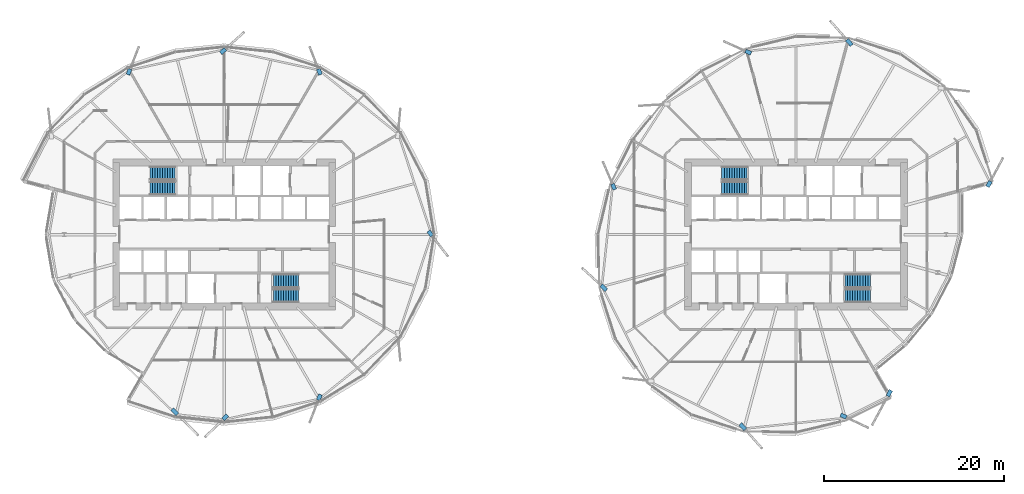
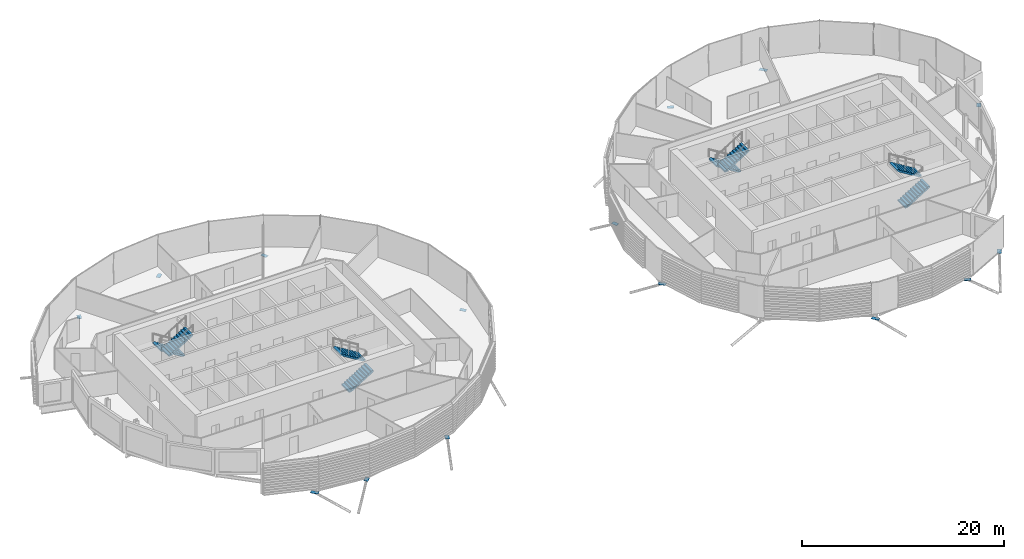
# One storey, part 27 of 39: 15 discrete accessories, 8 stair flights, 4 elements without a shape of their own.
"""IFC4 building model written with IfcOpenShell, lengths in metres."""

from ifc_helpers import new_model, si_unit, direction, frame, origin, origin_2d, place, context, subcontext, project, spatial, polyline, rectangle, outline, extrude, material, material_profile, profile_set, type_object, element, aggregate, save


model = new_model("IFC4")

# Units and contexts
model_context = context("Model", 3, precision=1e-05, world=origin(), true_north=direction((0.0, 1.0)))
body_context = subcontext(model_context, "Body", "Model", "MODEL_VIEW")
ifc_project = project(units=[si_unit("LENGTHUNIT", "METRE"), si_unit("AREAUNIT", "SQUARE_METRE"), si_unit("VOLUMEUNIT", "CUBIC_METRE"), si_unit("PLANEANGLEUNIT", "RADIAN"), si_unit("MASSUNIT", "GRAM", prefix="KILO")], contexts=[model_context])

# Site, building, storey
site_placement = place(None, origin())
site = spatial("IfcSite", under=ifc_project, at=site_placement, CompositionType="ELEMENT")
building_placement = place(site_placement, origin())
building = spatial("IfcBuilding", under=site, at=building_placement, Name="Rimbun Link Towers", CompositionType="ELEMENT")
storey_placement = place(building_placement, frame((0.0, 0.0, 112.0)))
storey = spatial("IfcBuildingStorey", under=building, at=storey_placement, Name="L27", CompositionType="ELEMENT", Elevation=112.0)

# Stair, stair flights
ifc_material_1 = material(Name="Concrete C40/50", Category="concrete")
stair_type = type_object("IfcStairType", Name="Exit stair 3800 rise", PredefinedType="HALF_TURN_STAIR", material=ifc_material_1)
stair_1_placement = place(storey_placement, origin())
stair_1 = element("IfcStair", 1, at=stair_1_placement, inside=storey, type_object=stair_type, Name="L27 EXIT STAIR A", PredefinedType="HALF_TURN_STAIR")
ifc_material_2 = material(Name="Concrete C40/50", Category="concrete")
stair_flight_type = type_object("IfcStairFlightType", Name="Exit stair flight 3800 rise", PredefinedType="STRAIGHT", material=ifc_material_2)
stair_flight_1_placement = place(storey_placement, frame((-37.199951171875, 6.800048828125, 0.0), z_axis=(0.0, 0.0, 1.0), x_axis=(-1.0, 0.0, 0.0)))
stair_flight_1 = element("IfcStairFlight", 2, at=stair_flight_1_placement, type_object=stair_flight_type, Name="ST1 flight 1", NumberOfRisers=11, NumberOfTreads=10, PredefinedType="STRAIGHT", RiserHeight=0.172727273, TreadLength=0.28, context=body_context, shape_type="SweptSolid", body=[
    extrude(outline(polyline([(0.0, 0.0), (0.0, 0.172607421875), (0.280029296875, 0.172607421875), (0.280029296875, 0.345458984375), (0.56005859375, 0.345458984375), (0.56005859375, 0.51806640625), (0.840087890625, 0.51806640625), (0.840087890625, 0.69091796875), (1.1201171875, 0.69091796875), (1.1201171875, 0.863525390625), (1.39990234375, 0.863525390625), (1.39990234375, 1.036376953125), (1.679931640625, 1.036376953125), (1.679931640625, 1.208984375), (1.9599609375, 1.208984375), (1.9599609375, 1.3818359375), (2.239990234375, 1.3818359375), (2.239990234375, 1.554443359375), (2.52001953125, 1.554443359375), (2.52001953125, 1.727294921875), (2.800048828125, 1.727294921875), (2.800048828125, 1.89990234375), (2.800048828125, 1.551025390625), (0.280029296875, 0.0), (0.0, 0.0)])), frame((0.0, 0.75, 0.0), z_axis=(0.0, -1.0, 0.0), x_axis=(1.0, 0.0, 0.0)), (0.0, 0.0, 1.0), 1.5),
])
stair_flight_2_placement = place(storey_placement, frame((-40.0, 5.14990234375, 1.89990234375), z_axis=(0.0, 0.0, 1.0), x_axis=(1.0, 0.0, 0.0)))
stair_flight_2 = element("IfcStairFlight", 3, at=stair_flight_2_placement, type_object=stair_flight_type, Name="ST1 flight 2", NumberOfRisers=11, NumberOfTreads=10, PredefinedType="STRAIGHT", RiserHeight=0.172727273, TreadLength=0.28, context=body_context, shape_type="SweptSolid", body=[
    extrude(outline(polyline([(0.0, 0.0), (0.0, 0.172607421875), (0.280029296875, 0.172607421875), (0.280029296875, 0.345458984375), (0.56005859375, 0.345458984375), (0.56005859375, 0.51806640625), (0.840087890625, 0.51806640625), (0.840087890625, 0.69091796875), (1.1201171875, 0.69091796875), (1.1201171875, 0.863525390625), (1.39990234375, 0.863525390625), (1.39990234375, 1.036376953125), (1.679931640625, 1.036376953125), (1.679931640625, 1.208984375), (1.9599609375, 1.208984375), (1.9599609375, 1.3818359375), (2.239990234375, 1.3818359375), (2.239990234375, 1.554443359375), (2.52001953125, 1.554443359375), (2.52001953125, 1.727294921875), (2.800048828125, 1.727294921875), (2.800048828125, 1.89990234375), (2.800048828125, 1.551025390625), (0.280029296875, 0.0), (0.0, 0.0)])), frame((0.0, 0.75, 0.0), z_axis=(0.0, -1.0, 0.0), x_axis=(1.0, 0.0, 0.0)), (0.0, 0.0, 1.0), 1.5),
])
aggregate(stair_1, [stair_flight_1, stair_flight_2])

stair_2_placement = place(storey_placement, origin())
stair_2 = element("IfcStair", 4, at=stair_2_placement, inside=storey, type_object=stair_type, Name="L27 EXIT STAIR B", PredefinedType="HALF_TURN_STAIR")
stair_flight_3_placement = place(storey_placement, frame((-26.300048828125, -6.800048828125, 0.0), z_axis=(0.0, 0.0, 1.0), x_axis=(1.0, 0.0, 0.0)))
stair_flight_3 = element("IfcStairFlight", 5, at=stair_flight_3_placement, type_object=stair_flight_type, Name="ST2 flight 1", NumberOfRisers=11, NumberOfTreads=10, PredefinedType="STRAIGHT", RiserHeight=0.172727273, TreadLength=0.28, context=body_context, shape_type="SweptSolid", body=[
    extrude(outline(polyline([(0.0, 0.0), (0.0, 0.172607421875), (0.280029296875, 0.172607421875), (0.280029296875, 0.345458984375), (0.56005859375, 0.345458984375), (0.56005859375, 0.51806640625), (0.840087890625, 0.51806640625), (0.840087890625, 0.69091796875), (1.1201171875, 0.69091796875), (1.1201171875, 0.863525390625), (1.39990234375, 0.863525390625), (1.39990234375, 1.036376953125), (1.679931640625, 1.036376953125), (1.679931640625, 1.208984375), (1.9599609375, 1.208984375), (1.9599609375, 1.3818359375), (2.239990234375, 1.3818359375), (2.239990234375, 1.554443359375), (2.52001953125, 1.554443359375), (2.52001953125, 1.727294921875), (2.800048828125, 1.727294921875), (2.800048828125, 1.89990234375), (2.800048828125, 1.551025390625), (0.280029296875, 0.0), (0.0, 0.0)])), frame((0.0, 0.75, 0.0), z_axis=(0.0, -1.0, 0.0), x_axis=(1.0, 0.0, 0.0)), (0.0, 0.0, 1.0), 1.5),
])
stair_flight_4_placement = place(storey_placement, frame((-23.5, -5.14990234375, 1.89990234375), z_axis=(0.0, 0.0, 1.0), x_axis=(-1.0, 0.0, 0.0)))
stair_flight_4 = element("IfcStairFlight", 6, at=stair_flight_4_placement, type_object=stair_flight_type, Name="ST2 flight 2", NumberOfRisers=11, NumberOfTreads=10, PredefinedType="STRAIGHT", RiserHeight=0.172727273, TreadLength=0.28, context=body_context, shape_type="SweptSolid", body=[
    extrude(outline(polyline([(0.0, 0.0), (0.0, 0.172607421875), (0.280029296875, 0.172607421875), (0.280029296875, 0.345458984375), (0.56005859375, 0.345458984375), (0.56005859375, 0.51806640625), (0.840087890625, 0.51806640625), (0.840087890625, 0.69091796875), (1.1201171875, 0.69091796875), (1.1201171875, 0.863525390625), (1.39990234375, 0.863525390625), (1.39990234375, 1.036376953125), (1.679931640625, 1.036376953125), (1.679931640625, 1.208984375), (1.9599609375, 1.208984375), (1.9599609375, 1.3818359375), (2.239990234375, 1.3818359375), (2.239990234375, 1.554443359375), (2.52001953125, 1.554443359375), (2.52001953125, 1.727294921875), (2.800048828125, 1.727294921875), (2.800048828125, 1.89990234375), (2.800048828125, 1.551025390625), (0.280029296875, 0.0), (0.0, 0.0)])), frame((0.0, 0.75, 0.0), z_axis=(0.0, -1.0, 0.0), x_axis=(1.0, 0.0, 0.0)), (0.0, 0.0, 1.0), 1.5),
])
aggregate(stair_2, [stair_flight_3, stair_flight_4])

stair_3_placement = place(storey_placement, origin())
stair_3 = element("IfcStair", 7, at=stair_3_placement, inside=storey, type_object=stair_type, Name="L27 EXIT STAIR A", PredefinedType="HALF_TURN_STAIR")
stair_flight_5_placement = place(storey_placement, frame((26.300048828125, 6.800048828125, 0.0), z_axis=(0.0, 0.0, 1.0), x_axis=(-1.0, 0.0, 0.0)))
stair_flight_5 = element("IfcStairFlight", 8, at=stair_flight_5_placement, type_object=stair_flight_type, Name="ST3 flight 1", NumberOfRisers=11, NumberOfTreads=10, PredefinedType="STRAIGHT", RiserHeight=0.172727273, TreadLength=0.28, context=body_context, shape_type="SweptSolid", body=[
    extrude(outline(polyline([(0.0, 0.0), (0.0, 0.172607421875), (0.280029296875, 0.172607421875), (0.280029296875, 0.345458984375), (0.56005859375, 0.345458984375), (0.56005859375, 0.51806640625), (0.840087890625, 0.51806640625), (0.840087890625, 0.69091796875), (1.1201171875, 0.69091796875), (1.1201171875, 0.863525390625), (1.39990234375, 0.863525390625), (1.39990234375, 1.036376953125), (1.679931640625, 1.036376953125), (1.679931640625, 1.208984375), (1.9599609375, 1.208984375), (1.9599609375, 1.3818359375), (2.239990234375, 1.3818359375), (2.239990234375, 1.554443359375), (2.52001953125, 1.554443359375), (2.52001953125, 1.727294921875), (2.800048828125, 1.727294921875), (2.800048828125, 1.89990234375), (2.800048828125, 1.551025390625), (0.280029296875, 0.0), (0.0, 0.0)])), frame((0.0, 0.75, 0.0), z_axis=(0.0, -1.0, 0.0), x_axis=(1.0, 0.0, 0.0)), (0.0, 0.0, 1.0), 1.5),
])
stair_flight_6_placement = place(storey_placement, frame((23.5, 5.14990234375, 1.89990234375), z_axis=(0.0, 0.0, 1.0), x_axis=(1.0, 0.0, 0.0)))
stair_flight_6 = element("IfcStairFlight", 9, at=stair_flight_6_placement, type_object=stair_flight_type, Name="ST3 flight 2", NumberOfRisers=11, NumberOfTreads=10, PredefinedType="STRAIGHT", RiserHeight=0.172727273, TreadLength=0.28, context=body_context, shape_type="SweptSolid", body=[
    extrude(outline(polyline([(0.0, 0.0), (0.0, 0.172607421875), (0.280029296875, 0.172607421875), (0.280029296875, 0.345458984375), (0.56005859375, 0.345458984375), (0.56005859375, 0.51806640625), (0.840087890625, 0.51806640625), (0.840087890625, 0.69091796875), (1.1201171875, 0.69091796875), (1.1201171875, 0.863525390625), (1.39990234375, 0.863525390625), (1.39990234375, 1.036376953125), (1.679931640625, 1.036376953125), (1.679931640625, 1.208984375), (1.9599609375, 1.208984375), (1.9599609375, 1.3818359375), (2.239990234375, 1.3818359375), (2.239990234375, 1.554443359375), (2.52001953125, 1.554443359375), (2.52001953125, 1.727294921875), (2.800048828125, 1.727294921875), (2.800048828125, 1.89990234375), (2.800048828125, 1.551025390625), (0.280029296875, 0.0), (0.0, 0.0)])), frame((0.0, 0.75, 0.0), z_axis=(0.0, -1.0, 0.0), x_axis=(1.0, 0.0, 0.0)), (0.0, 0.0, 1.0), 1.5),
])
aggregate(stair_3, [stair_flight_5, stair_flight_6])

stair_4_placement = place(storey_placement, origin())
stair_4 = element("IfcStair", 10, at=stair_4_placement, inside=storey, type_object=stair_type, Name="L27 EXIT STAIR B", PredefinedType="HALF_TURN_STAIR")
stair_flight_7_placement = place(storey_placement, frame((37.199951171875, -6.800048828125, 0.0), z_axis=(0.0, 0.0, 1.0), x_axis=(1.0, 0.0, 0.0)))
stair_flight_7 = element("IfcStairFlight", 11, at=stair_flight_7_placement, type_object=stair_flight_type, Name="ST4 flight 1", NumberOfRisers=11, NumberOfTreads=10, PredefinedType="STRAIGHT", RiserHeight=0.172727273, TreadLength=0.28, context=body_context, shape_type="SweptSolid", body=[
    extrude(outline(polyline([(0.0, 0.0), (0.0, 0.172607421875), (0.280029296875, 0.172607421875), (0.280029296875, 0.345458984375), (0.56005859375, 0.345458984375), (0.56005859375, 0.51806640625), (0.840087890625, 0.51806640625), (0.840087890625, 0.69091796875), (1.1201171875, 0.69091796875), (1.1201171875, 0.863525390625), (1.39990234375, 0.863525390625), (1.39990234375, 1.036376953125), (1.679931640625, 1.036376953125), (1.679931640625, 1.208984375), (1.9599609375, 1.208984375), (1.9599609375, 1.3818359375), (2.239990234375, 1.3818359375), (2.239990234375, 1.554443359375), (2.52001953125, 1.554443359375), (2.52001953125, 1.727294921875), (2.800048828125, 1.727294921875), (2.800048828125, 1.89990234375), (2.800048828125, 1.551025390625), (0.280029296875, 0.0), (0.0, 0.0)])), frame((0.0, 0.75, 0.0), z_axis=(0.0, -1.0, 0.0), x_axis=(1.0, 0.0, 0.0)), (0.0, 0.0, 1.0), 1.5),
])
stair_flight_8_placement = place(storey_placement, frame((40.0, -5.14990234375, 1.89990234375), z_axis=(0.0, 0.0, 1.0), x_axis=(-1.0, 0.0, 0.0)))
stair_flight_8 = element("IfcStairFlight", 12, at=stair_flight_8_placement, type_object=stair_flight_type, Name="ST4 flight 2", NumberOfRisers=11, NumberOfTreads=10, PredefinedType="STRAIGHT", RiserHeight=0.172727273, TreadLength=0.28, context=body_context, shape_type="SweptSolid", body=[
    extrude(outline(polyline([(0.0, 0.0), (0.0, 0.172607421875), (0.280029296875, 0.172607421875), (0.280029296875, 0.345458984375), (0.56005859375, 0.345458984375), (0.56005859375, 0.51806640625), (0.840087890625, 0.51806640625), (0.840087890625, 0.69091796875), (1.1201171875, 0.69091796875), (1.1201171875, 0.863525390625), (1.39990234375, 0.863525390625), (1.39990234375, 1.036376953125), (1.679931640625, 1.036376953125), (1.679931640625, 1.208984375), (1.9599609375, 1.208984375), (1.9599609375, 1.3818359375), (2.239990234375, 1.3818359375), (2.239990234375, 1.554443359375), (2.52001953125, 1.554443359375), (2.52001953125, 1.727294921875), (2.800048828125, 1.727294921875), (2.800048828125, 1.89990234375), (2.800048828125, 1.551025390625), (0.280029296875, 0.0), (0.0, 0.0)])), frame((0.0, 0.75, 0.0), z_axis=(0.0, -1.0, 0.0), x_axis=(1.0, 0.0, 0.0)), (0.0, 0.0, 1.0), 1.5),
])
aggregate(stair_4, [stair_flight_7, stair_flight_8])

# Discrete accessories
ifc_material_3 = material(Name="Steel S355J2H", Category="steel")
ifc_material_profile = material_profile(ifc_material_3, rectangle(XDim=0.43310546875, YDim=0.43310546875, at=origin_2d()), Name="PL 433x433")
ifc_profile_set = profile_set([ifc_material_profile], Name="Steel S355J2H")
discrete_accessory_type = type_object("IfcDiscreteAccessoryType", Name="Link head end plate 433X20", PredefinedType="BRACKET", material=ifc_profile_set)
discrete_accessory_1_placement = place(storey_placement, frame((0.0, 0.0, -0.78271484375)))
element("IfcDiscreteAccessory", 13, at=discrete_accessory_1_placement, inside=storey, type_object=discrete_accessory_type, Name="Link head end plate T1 L27 00", PredefinedType="BRACKET", context=body_context, shape_type="SweptSolid", body=[
    extrude(outline(polyline([(-9.24267578125, 0.257568359375), (-8.829833984375, -0.27783203125), (-8.487060546875, -0.013427734375), (-8.899658203125, 0.52197265625), (-9.24267578125, 0.257568359375)])), origin(), (0.0, 0.0, 1.0), 0.02001953125),
])
discrete_accessory_2_placement = place(storey_placement, frame((0.0, 0.0, -0.78271484375)))
element("IfcDiscreteAccessory", 14, at=discrete_accessory_2_placement, inside=storey, type_object=discrete_accessory_type, Name="Link head end plate T1 L27 04", PredefinedType="BRACKET", context=body_context, shape_type="SweptSolid", body=[
    extrude(outline(polyline([(-20.854736328125, 17.834716796875), (-21.099853515625, 18.46337890625), (-21.50341796875, 18.30615234375), (-21.25830078125, 17.677490234375), (-20.854736328125, 17.834716796875)])), origin(), (0.0, 0.0, 1.0), 0.02001953125),
])
discrete_accessory_3_placement = place(storey_placement, frame((0.0, 0.0, -0.863525390625)))
element("IfcDiscreteAccessory", 15, at=discrete_accessory_3_placement, inside=storey, type_object=discrete_accessory_type, Name="Link head end plate T1 L27 06", PredefinedType="BRACKET", context=body_context, shape_type="SweptSolid", body=[
    extrude(outline(polyline([(-31.98828125, 19.980712890625), (-31.46923828125, 20.4482421875), (-31.759033203125, 20.77001953125), (-32.278076171875, 20.30224609375), (-31.98828125, 19.980712890625)])), origin(), (0.0, 0.0, 1.0), 0.02001953125),
])
discrete_accessory_4_placement = place(storey_placement, frame((0.0, 0.0, -0.78271484375)))
element("IfcDiscreteAccessory", 16, at=discrete_accessory_4_placement, inside=storey, type_object=discrete_accessory_type, Name="Link head end plate T1 L27 08", PredefinedType="BRACKET", context=body_context, shape_type="SweptSolid", body=[
    extrude(outline(polyline([(-42.24169921875, 17.677490234375), (-41.99658203125, 18.30615234375), (-42.400146484375, 18.46337890625), (-42.645263671875, 17.834716796875), (-42.24169921875, 17.677490234375)])), origin(), (0.0, 0.0, 1.0), 0.02001953125),
])
discrete_accessory_5_placement = place(storey_placement, frame((0.0, 0.0, -0.863525390625)))
element("IfcDiscreteAccessory", 17, at=discrete_accessory_5_placement, inside=storey, type_object=discrete_accessory_type, Name="Link head end plate T1 L27 17", PredefinedType="BRACKET", context=body_context, shape_type="SweptSolid", body=[
    extrude(outline(polyline([(-37.666015625, -19.53564453125), (-37.093505859375, -20.116455078125), (-36.78515625, -19.8125), (-37.357666015625, -19.231689453125), (-37.666015625, -19.53564453125)])), origin(), (0.0, 0.0, 1.0), 0.02001953125),
])
discrete_accessory_6_placement = place(storey_placement, frame((0.0, 0.0, -0.863525390625)))
element("IfcDiscreteAccessory", 18, at=discrete_accessory_6_placement, inside=storey, type_object=discrete_accessory_type, Name="Link head end plate T1 L27 18", PredefinedType="BRACKET", context=body_context, shape_type="SweptSolid", body=[
    extrude(outline(polyline([(-31.56298828125, -19.907958984375), (-32.03369140625, -20.371826171875), (-31.729736328125, -20.68017578125), (-31.259033203125, -20.21630859375), (-31.56298828125, -19.907958984375)])), origin(), (0.0, 0.0, 1.0), 0.02001953125),
])
discrete_accessory_7_placement = place(storey_placement, frame((0.0, 0.0, -0.78271484375)))
element("IfcDiscreteAccessory", 19, at=discrete_accessory_7_placement, inside=storey, type_object=discrete_accessory_type, Name="Link head end plate T1 L27 20", PredefinedType="BRACKET", context=body_context, shape_type="SweptSolid", body=[
    extrude(outline(polyline([(-21.25830078125, -17.677490234375), (-21.50341796875, -18.30615234375), (-21.099853515625, -18.46337890625), (-20.854736328125, -17.834716796875), (-21.25830078125, -17.677490234375)])), origin(), (0.0, 0.0, 1.0), 0.02001953125),
])
discrete_accessory_8_placement = place(storey_placement, frame((0.0, 0.0, -0.942138671875)))
element("IfcDiscreteAccessory", 20, at=discrete_accessory_8_placement, inside=storey, type_object=discrete_accessory_type, Name="Link head end plate T2 L27 02", PredefinedType="BRACKET", context=body_context, shape_type="SweptSolid", body=[
    extrude(outline(polyline([(38.101318359375, 21.172607421875), (37.55615234375, 21.787841796875), (37.23193359375, 21.500732421875), (37.777099609375, 20.885498046875), (38.101318359375, 21.172607421875)])), origin(), (0.0, 0.0, 1.0), 0.02001953125),
])
discrete_accessory_9_placement = place(storey_placement, frame((0.0, 0.0, -0.863525390625)))
element("IfcDiscreteAccessory", 21, at=discrete_accessory_9_placement, inside=storey, type_object=discrete_accessory_type, Name="Link head end plate T2 L27 04", PredefinedType="BRACKET", context=body_context, shape_type="SweptSolid", body=[
    extrude(outline(polyline([(26.84912109375, 20.3095703125), (26.22705078125, 20.5869140625), (26.05078125, 20.191162109375), (26.6728515625, 19.9140625), (26.84912109375, 20.3095703125)])), origin(), (0.0, 0.0, 1.0), 0.02001953125),
])
discrete_accessory_10_placement = place(storey_placement, frame((0.0, 0.0, -0.63330078125)))
element("IfcDiscreteAccessory", 22, at=discrete_accessory_10_placement, inside=storey, type_object=discrete_accessory_type, Name="Link head end plate T2 L27 08", PredefinedType="BRACKET", context=body_context, shape_type="SweptSolid", body=[
    extrude(outline(polyline([(11.8232421875, 5.087646484375), (11.562255859375, 5.6982421875), (11.1640625, 5.528076171875), (11.425048828125, 4.91748046875), (11.8232421875, 5.087646484375)])), origin(), (0.0, 0.0, 1.0), 0.02001953125),
])
discrete_accessory_11_placement = place(storey_placement, frame((0.0, 0.0, -0.713134765625)))
element("IfcDiscreteAccessory", 23, at=discrete_accessory_11_placement, inside=storey, type_object=discrete_accessory_type, Name="Link head end plate T2 L27 10", PredefinedType="BRACKET", context=body_context, shape_type="SweptSolid", body=[
    extrude(outline(polyline([(10.836181640625, -6.013916015625), (10.253173828125, -5.48193359375), (9.961181640625, -5.802001953125), (10.54443359375, -6.333740234375), (10.836181640625, -6.013916015625)])), origin(), (0.0, 0.0, 1.0), 0.02001953125),
])
discrete_accessory_12_placement = place(storey_placement, frame((0.0, 0.0, -0.942138671875)))
element("IfcDiscreteAccessory", 24, at=discrete_accessory_12_placement, inside=storey, type_object=discrete_accessory_type, Name="Link head end plate T2 L27 14", PredefinedType="BRACKET", context=body_context, shape_type="SweptSolid", body=[
    extrude(outline(polyline([(25.398681640625, -21.172607421875), (25.94384765625, -21.787841796875), (26.26806640625, -21.500732421875), (25.722900390625, -20.885498046875), (25.398681640625, -21.172607421875)])), origin(), (0.0, 0.0, 1.0), 0.02001953125),
])
discrete_accessory_13_placement = place(storey_placement, frame((0.0, 0.0, -0.863525390625)))
element("IfcDiscreteAccessory", 25, at=discrete_accessory_13_placement, inside=storey, type_object=discrete_accessory_type, Name="Link head end plate T2 L27 16", PredefinedType="BRACKET", context=body_context, shape_type="SweptSolid", body=[
    extrude(outline(polyline([(36.62060546875, -20.20556640625), (37.242919921875, -20.49951171875), (37.427734375, -20.108154296875), (36.8056640625, -19.814208984375), (36.62060546875, -20.20556640625)])), origin(), (0.0, 0.0, 1.0), 0.02001953125),
])
discrete_accessory_14_placement = place(storey_placement, frame((0.0, 0.0, -0.78271484375)))
element("IfcDiscreteAccessory", 26, at=discrete_accessory_14_placement, inside=storey, type_object=discrete_accessory_type, Name="Link head end plate T2 L27 17", PredefinedType="BRACKET", context=body_context, shape_type="SweptSolid", body=[
    extrude(outline(polyline([(42.09375, -17.192626953125), (41.742431640625, -17.841796875), (42.123291015625, -18.0478515625), (42.474609375, -17.398681640625), (42.09375, -17.192626953125)])), origin(), (0.0, 0.0, 1.0), 0.02001953125),
])
discrete_accessory_15_placement = place(storey_placement, frame((0.0, 0.0, -1.098388671875)))
element("IfcDiscreteAccessory", 27, at=discrete_accessory_15_placement, inside=storey, type_object=discrete_accessory_type, Name="Link head end plate T2 L27 22", PredefinedType="BRACKET", context=body_context, shape_type="SweptSolid", body=[
    extrude(outline(polyline([(53.207763671875, 5.2080078125), (53.53662109375, 5.822509765625), (53.155029296875, 6.02685546875), (52.825927734375, 5.41259765625), (53.207763671875, 5.2080078125)])), origin(), (0.0, 0.0, 1.0), 0.02001953125),
])

save(model, "model.ifc")
